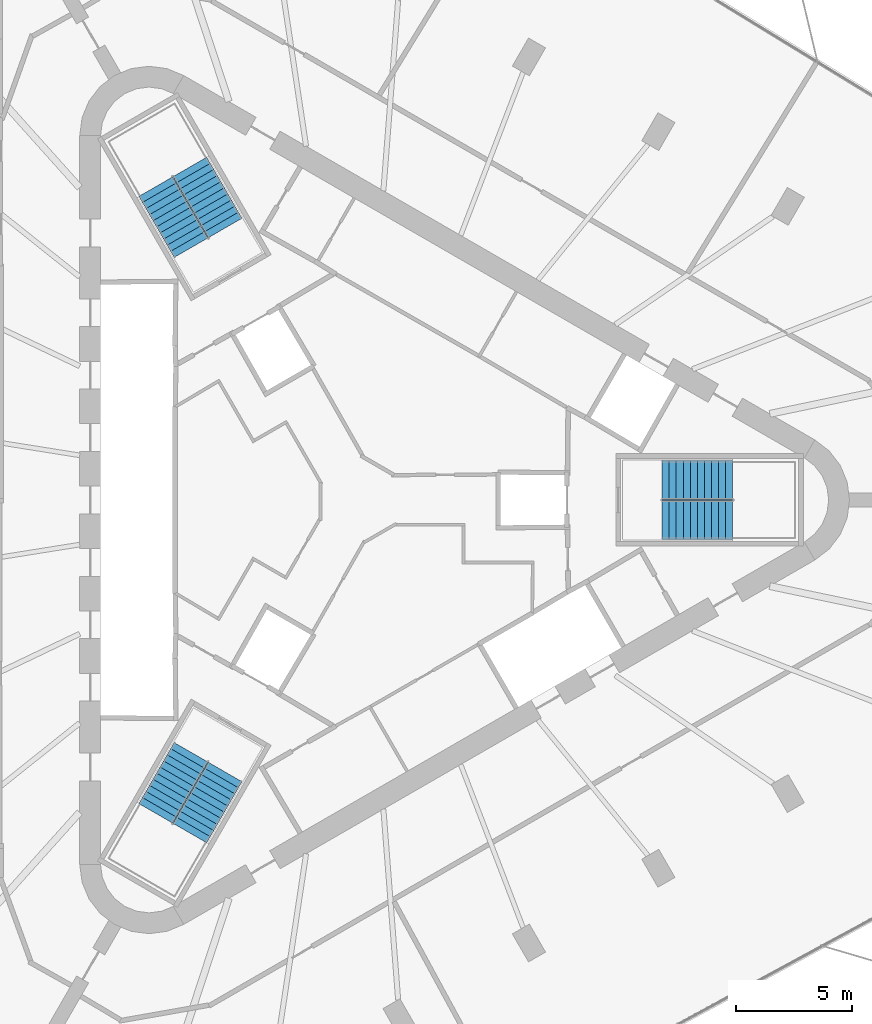
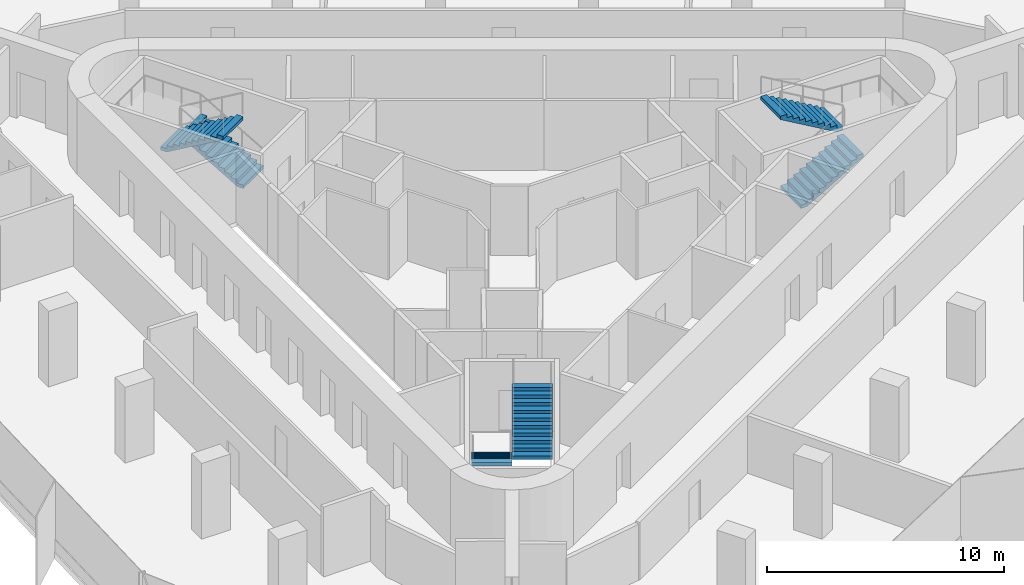
# One storey, part 12 of 13: 6 stair flights, 3 elements without a shape of their own.
"""IFC4 building model written with IfcOpenShell, lengths in metres."""

from ifc_helpers import new_model, si_unit, direction, frame, origin, place, context, subcontext, project, spatial, polyline, outline, extrude, material, type_object, element, aggregate, save


model = new_model("IFC4")

# Units and contexts
model_context = context("Model", 3, precision=1e-05, world=origin(), true_north=direction((0.0, 1.0)))
body_context = subcontext(model_context, "Body", "Model", "MODEL_VIEW")
ifc_project = project(units=[si_unit("LENGTHUNIT", "METRE"), si_unit("AREAUNIT", "SQUARE_METRE"), si_unit("VOLUMEUNIT", "CUBIC_METRE"), si_unit("PLANEANGLEUNIT", "RADIAN"), si_unit("MASSUNIT", "GRAM", prefix="KILO")], contexts=[model_context])

# Site, building, storey
site_placement = place(None, origin())
site = spatial("IfcSite", under=ifc_project, at=site_placement, CompositionType="ELEMENT")
building_placement = place(site_placement, origin())
building = spatial("IfcBuilding", under=site, at=building_placement, Name="Tanit Gate Tower", CompositionType="ELEMENT")
storey_placement = place(building_placement, frame((0.0, 0.0, 329.89990234375)))
storey = spatial("IfcBuildingStorey", under=building, at=storey_placement, Name="L74", CompositionType="ELEMENT", Elevation=329.89990234375)

# Stair, stair flights
ifc_material_1 = material(Name="Concrete C40/50", Category="concrete")
stair_type = type_object("IfcStairType", Name="INT-STAIR-EXIT", PredefinedType="HALF_TURN_STAIR", material=ifc_material_1)
stair_1_placement = place(storey_placement, origin())
stair_1 = element("IfcStair", 1, at=stair_1_placement, inside=storey, type_object=stair_type, Name="L74 STAIR S1", PredefinedType="HALF_TURN_STAIR")
ifc_material_2 = material(Name="Concrete C40/50", Category="concrete")
stair_flight_type = type_object("IfcStairFlightType", Name="INT-STAIR-FLIGHT", PredefinedType="STRAIGHT", material=ifc_material_2)
stair_flight_1_placement = place(storey_placement, frame((13.094970703125, -0.8525390625, 0.0), z_axis=(0.0, 0.0, 1.0), x_axis=(1.0, 0.0, 0.0)))
stair_flight_1 = element("IfcStairFlight", 2, at=stair_flight_1_placement, type_object=stair_flight_type, Name="S1 flight 1", NumberOfRisers=11, NumberOfTreads=10, PredefinedType="STRAIGHT", RiserHeight=0.177272727, TreadLength=0.3051, context=body_context, shape_type="SweptSolid", body=[
    extrude(outline(polyline([(0.0, 0.0), (0.0, 0.17724609375), (0.30517578125, 0.17724609375), (0.30517578125, 0.3544921875), (0.610107421875, 0.3544921875), (0.610107421875, 0.53173828125), (0.915283203125, 0.53173828125), (0.915283203125, 0.708984375), (1.220458984375, 0.708984375), (1.220458984375, 0.886474609375), (1.525390625, 0.886474609375), (1.525390625, 1.063720703125), (1.83056640625, 1.063720703125), (1.83056640625, 1.240966796875), (2.1357421875, 1.240966796875), (2.1357421875, 1.418212890625), (2.44091796875, 1.418212890625), (2.44091796875, 1.595458984375), (2.745849609375, 1.595458984375), (2.745849609375, 1.772705078125), (3.051025390625, 1.772705078125), (3.051025390625, 1.949951171875), (3.051025390625, 1.599365234375), (0.29833984375, 0.0), (0.0, 0.0)])), frame((0.0, 0.84765625, 0.0), z_axis=(0.0, -1.0, 0.0), x_axis=(1.0, 0.0, 0.0)), (0.0, 0.0, 1.0), 1.695068359375),
])
stair_flight_2_placement = place(storey_placement, frame((16.14599609375, 0.8525390625, 1.9501953125), z_axis=(0.0, 0.0, 1.0), x_axis=(-1.0, 0.0, 0.0)))
stair_flight_2 = element("IfcStairFlight", 3, at=stair_flight_2_placement, type_object=stair_flight_type, Name="S1 flight 2", NumberOfRisers=11, NumberOfTreads=10, PredefinedType="STRAIGHT", RiserHeight=0.177272727, TreadLength=0.3051, context=body_context, shape_type="SweptSolid", body=[
    extrude(outline(polyline([(0.0, 0.0), (0.0, 0.17724609375), (0.30517578125, 0.17724609375), (0.30517578125, 0.3544921875), (0.610107421875, 0.3544921875), (0.610107421875, 0.53173828125), (0.915283203125, 0.53173828125), (0.915283203125, 0.708984375), (1.220458984375, 0.708984375), (1.220458984375, 0.886474609375), (1.525390625, 0.886474609375), (1.525390625, 1.063720703125), (1.83056640625, 1.063720703125), (1.83056640625, 1.240966796875), (2.1357421875, 1.240966796875), (2.1357421875, 1.418212890625), (2.44091796875, 1.418212890625), (2.44091796875, 1.595458984375), (2.745849609375, 1.595458984375), (2.745849609375, 1.772705078125), (3.051025390625, 1.772705078125), (3.051025390625, 1.949951171875), (3.051025390625, 1.599365234375), (0.29833984375, 0.0), (0.0, 0.0)])), frame((0.0, 0.84765625, 0.0), z_axis=(0.0, -1.0, 0.0), x_axis=(1.0, 0.0, 0.0)), (0.0, 0.0, 1.0), 1.695068359375),
])
aggregate(stair_1, [stair_flight_1, stair_flight_2])

stair_2_placement = place(storey_placement, origin())
stair_2 = element("IfcStair", 4, at=stair_2_placement, inside=storey, type_object=stair_type, Name="L74 STAIR S2", PredefinedType="HALF_TURN_STAIR")
stair_flight_3_placement = place(storey_placement, frame((-5.808349609375, 11.766357421875, 0.0), z_axis=(0.0, 0.0, 1.0), x_axis=(-0.5, 0.866025403784, 0.0)))
stair_flight_3 = element("IfcStairFlight", 5, at=stair_flight_3_placement, type_object=stair_flight_type, Name="S2 flight 1", NumberOfRisers=11, NumberOfTreads=10, PredefinedType="STRAIGHT", RiserHeight=0.177272727, TreadLength=0.30492, context=body_context, shape_type="SweptSolid", body=[
    extrude(outline(polyline([(0.0, 0.0), (0.0, 0.17724609375), (0.304931640625, 0.17724609375), (0.304931640625, 0.3544921875), (0.60986328125, 0.3544921875), (0.60986328125, 0.53173828125), (0.914794921875, 0.53173828125), (0.914794921875, 0.708984375), (1.2197265625, 0.708984375), (1.2197265625, 0.886474609375), (1.524658203125, 0.886474609375), (1.524658203125, 1.063720703125), (1.82958984375, 1.063720703125), (1.82958984375, 1.240966796875), (2.134521484375, 1.240966796875), (2.134521484375, 1.418212890625), (2.439453125, 1.418212890625), (2.439453125, 1.595458984375), (2.744384765625, 1.595458984375), (2.744384765625, 1.772705078125), (3.04931640625, 1.772705078125), (3.04931640625, 1.949951171875), (3.04931640625, 1.599365234375), (0.29833984375, 0.0), (0.0, 0.0)])), frame((0.0, 0.84716796875, 0.0), z_axis=(0.0, -1.0, 0.0), x_axis=(1.0, 0.0, 0.0)), (0.0, 0.0, 1.0), 1.694091796875),
])
stair_flight_4_placement = place(storey_placement, frame((-8.810302734375, 13.553955078125, 1.9501953125), z_axis=(0.0, 0.0, 1.0), x_axis=(0.5, -0.866025403784, 0.0)))
stair_flight_4 = element("IfcStairFlight", 6, at=stair_flight_4_placement, type_object=stair_flight_type, Name="S2 flight 2", NumberOfRisers=11, NumberOfTreads=10, PredefinedType="STRAIGHT", RiserHeight=0.177272727, TreadLength=0.30492, context=body_context, shape_type="SweptSolid", body=[
    extrude(outline(polyline([(0.0, 0.0), (0.0, 0.17724609375), (0.304931640625, 0.17724609375), (0.304931640625, 0.3544921875), (0.60986328125, 0.3544921875), (0.60986328125, 0.53173828125), (0.914794921875, 0.53173828125), (0.914794921875, 0.708984375), (1.2197265625, 0.708984375), (1.2197265625, 0.886474609375), (1.524658203125, 0.886474609375), (1.524658203125, 1.063720703125), (1.82958984375, 1.063720703125), (1.82958984375, 1.240966796875), (2.134521484375, 1.240966796875), (2.134521484375, 1.418212890625), (2.439453125, 1.418212890625), (2.439453125, 1.595458984375), (2.744384765625, 1.595458984375), (2.744384765625, 1.772705078125), (3.04931640625, 1.772705078125), (3.04931640625, 1.949951171875), (3.04931640625, 1.599365234375), (0.29833984375, 0.0), (0.0, 0.0)])), frame((0.0, 0.84716796875, 0.0), z_axis=(0.0, -1.0, 0.0), x_axis=(1.0, 0.0, 0.0)), (0.0, 0.0, 1.0), 1.694091796875),
])
aggregate(stair_2, [stair_flight_3, stair_flight_4])

stair_3_placement = place(storey_placement, origin())
stair_3 = element("IfcStair", 7, at=stair_3_placement, inside=storey, type_object=stair_type, Name="L74 STAIR S3", PredefinedType="HALF_TURN_STAIR")
stair_flight_5_placement = place(storey_placement, frame((-7.285888671875, -10.914306640625, 0.0), z_axis=(0.0, 0.0, 1.0), x_axis=(-0.5, -0.866025403784, 0.0)))
stair_flight_5 = element("IfcStairFlight", 8, at=stair_flight_5_placement, type_object=stair_flight_type, Name="S3 flight 1", NumberOfRisers=11, NumberOfTreads=10, PredefinedType="STRAIGHT", RiserHeight=0.177272727, TreadLength=0.3051, context=body_context, shape_type="SweptSolid", body=[
    extrude(outline(polyline([(0.0, 0.0), (0.0, 0.17724609375), (0.30517578125, 0.17724609375), (0.30517578125, 0.3544921875), (0.610107421875, 0.3544921875), (0.610107421875, 0.53173828125), (0.915283203125, 0.53173828125), (0.915283203125, 0.708984375), (1.220458984375, 0.708984375), (1.220458984375, 0.886474609375), (1.525390625, 0.886474609375), (1.525390625, 1.063720703125), (1.83056640625, 1.063720703125), (1.83056640625, 1.240966796875), (2.1357421875, 1.240966796875), (2.1357421875, 1.418212890625), (2.44091796875, 1.418212890625), (2.44091796875, 1.595458984375), (2.745849609375, 1.595458984375), (2.745849609375, 1.772705078125), (3.051025390625, 1.772705078125), (3.051025390625, 1.949951171875), (3.051025390625, 1.599365234375), (0.29833984375, 0.0), (0.0, 0.0)])), frame((0.0, 0.84765625, 0.0), z_axis=(0.0, -1.0, 0.0), x_axis=(1.0, 0.0, 0.0)), (0.0, 0.0, 1.0), 1.695068359375),
])
stair_flight_6_placement = place(storey_placement, frame((-7.334716796875, -14.4091796875, 1.9501953125), z_axis=(0.0, 0.0, 1.0), x_axis=(0.5, 0.866025403784, 0.0)))
stair_flight_6 = element("IfcStairFlight", 9, at=stair_flight_6_placement, type_object=stair_flight_type, Name="S3 flight 2", NumberOfRisers=11, NumberOfTreads=10, PredefinedType="STRAIGHT", RiserHeight=0.177272727, TreadLength=0.3051, context=body_context, shape_type="SweptSolid", body=[
    extrude(outline(polyline([(0.0, 0.0), (0.0, 0.17724609375), (0.30517578125, 0.17724609375), (0.30517578125, 0.3544921875), (0.610107421875, 0.3544921875), (0.610107421875, 0.53173828125), (0.915283203125, 0.53173828125), (0.915283203125, 0.708984375), (1.220458984375, 0.708984375), (1.220458984375, 0.886474609375), (1.525390625, 0.886474609375), (1.525390625, 1.063720703125), (1.83056640625, 1.063720703125), (1.83056640625, 1.240966796875), (2.1357421875, 1.240966796875), (2.1357421875, 1.418212890625), (2.44091796875, 1.418212890625), (2.44091796875, 1.595458984375), (2.745849609375, 1.595458984375), (2.745849609375, 1.772705078125), (3.051025390625, 1.772705078125), (3.051025390625, 1.949951171875), (3.051025390625, 1.599365234375), (0.29833984375, 0.0), (0.0, 0.0)])), frame((0.0, 0.84765625, 0.0), z_axis=(0.0, -1.0, 0.0), x_axis=(1.0, 0.0, 0.0)), (0.0, 0.0, 1.0), 1.695068359375),
])
aggregate(stair_3, [stair_flight_5, stair_flight_6])

save(model, "model.ifc")
